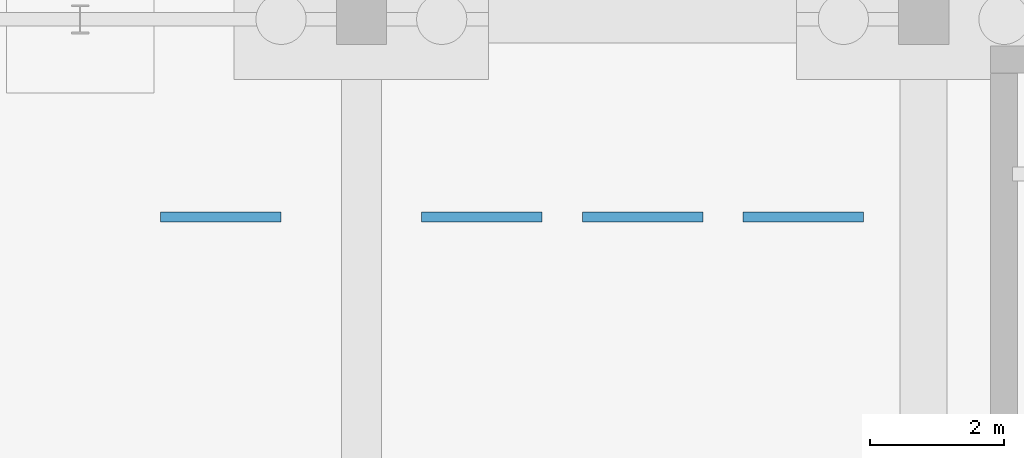
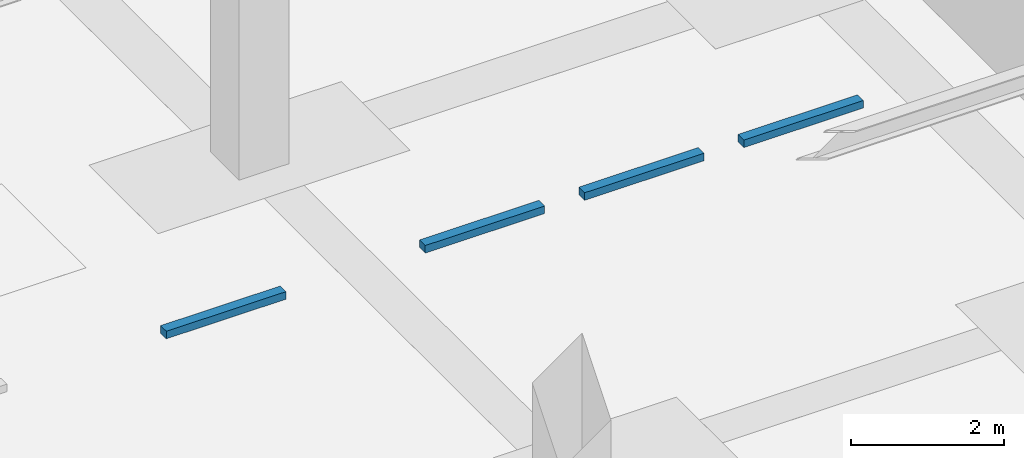
# One storey, part 98 of 119: 4 discrete accessories.
"""IFC4 building model written with IfcOpenShell, lengths in metres."""

from ifc_helpers import new_model, si_unit, derived_unit, direction, frame, origin, origin_2d, place, context, subcontext, project, spatial, rectangle, extrude, material, layer, layer_set, type_object, element, save


model = new_model("IFC4")

# Units and contexts
model_context = context("Model", 3, precision=1e-05, world=origin(), true_north=direction((0.0, 1.0)))
body_context = subcontext(model_context, "Body", "Model", "MODEL_VIEW")
ifc_project = project(units=[si_unit("LENGTHUNIT", "METRE"), si_unit("AREAUNIT", "SQUARE_METRE"), si_unit("VOLUMEUNIT", "CUBIC_METRE"), si_unit("PLANEANGLEUNIT", "RADIAN"), si_unit("MASSUNIT", "GRAM", prefix="KILO"), derived_unit("THERMALTRANSMITTANCEUNIT", [(si_unit("MASSUNIT", "GRAM", prefix="KILO"), 1), (si_unit("TIMEUNIT", "SECOND"), -3), (si_unit("THERMODYNAMICTEMPERATUREUNIT", "KELVIN"), -1)])], contexts=[model_context])

# Site, building, storey
site_placement = place(None, origin())
site = spatial("IfcSite", under=ifc_project, at=site_placement, CompositionType="ELEMENT")
building_placement = place(site_placement, origin())
building = spatial("IfcBuilding", under=site, at=building_placement, Name="Makaiwela Harbour Ferry Terminal", CompositionType="ELEMENT")
storey_placement = place(building_placement, origin())
storey = spatial("IfcBuildingStorey", under=building, at=storey_placement, Name="L00", CompositionType="ELEMENT", Elevation=0.0)

# Discrete accessories
ifc_material = material(Name="Concrete f'c 45 MPa (6500 psi)", Category="concrete")
ifc_layer = layer(ifc_material, 0.1201171875)
ifc_layer_set = layer_set([ifc_layer], Name="Concrete f'c 45 MPa (6500 psi)")
discrete_accessory_type = type_object("IfcDiscreteAccessoryType", Name="EXT-ACC-WST", PredefinedType="BRACKET", material=ifc_layer_set)
for number, where, z_axis, x_axis, name in (
    (1, (111.300048828125, 13.85009765625, 0.0), (0.0, 0.0, 1.0), (1.0, 0.0, 0.0), "Parking Bay Wheel Stop WS-09"),
    (2, (115.199951171875, 13.85009765625, 0.0), (0.0, 0.0, 1.0), (1.0, 0.0, 0.0), "Parking Bay Wheel Stop WS-10"),
    (3, (117.60009765625, 13.85009765625, 0.0), (0.0, 0.0, 1.0), (1.0, 0.0, 0.0), "Parking Bay Wheel Stop WS-11"),
    (4, (120.0, 13.85009765625, 0.0), (0.0, 0.0, 1.0), (1.0, 0.0, 0.0), "Parking Bay Wheel Stop WS-12"),
):
    element("IfcDiscreteAccessory", number, at=place(storey_placement, frame(where, z_axis=z_axis, x_axis=x_axis)), inside=storey, type_object=discrete_accessory_type, Name=name, PredefinedType="BRACKET", context=body_context, shape_type="SweptSolid", body=[
        extrude(rectangle(XDim=1.800048828125, YDim=0.14990234375, at=origin_2d()), origin(), (0.0, 0.0, 1.0), 0.1201171875),
    ])

save(model, "model.ifc")
